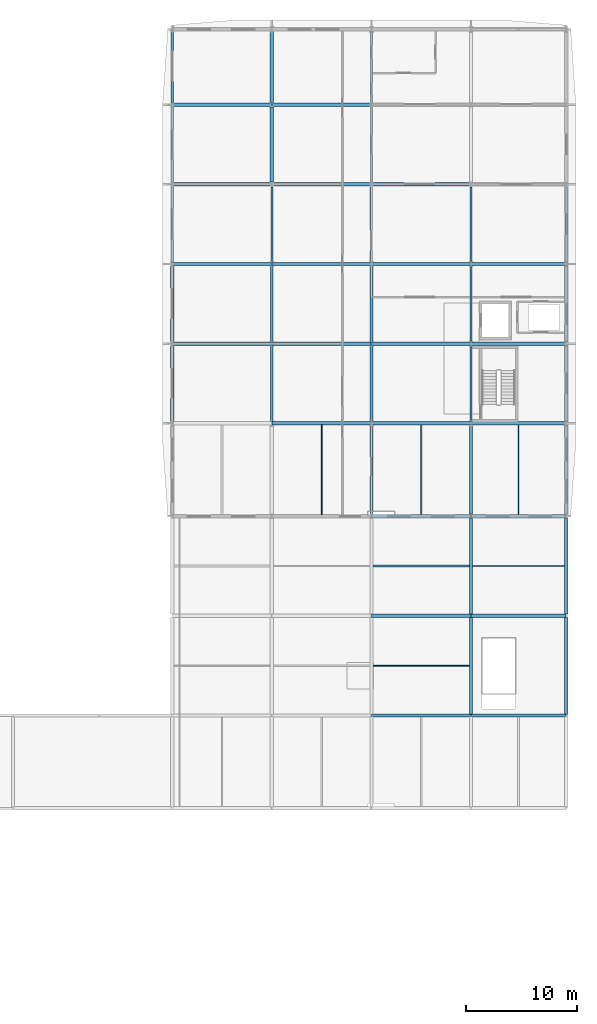
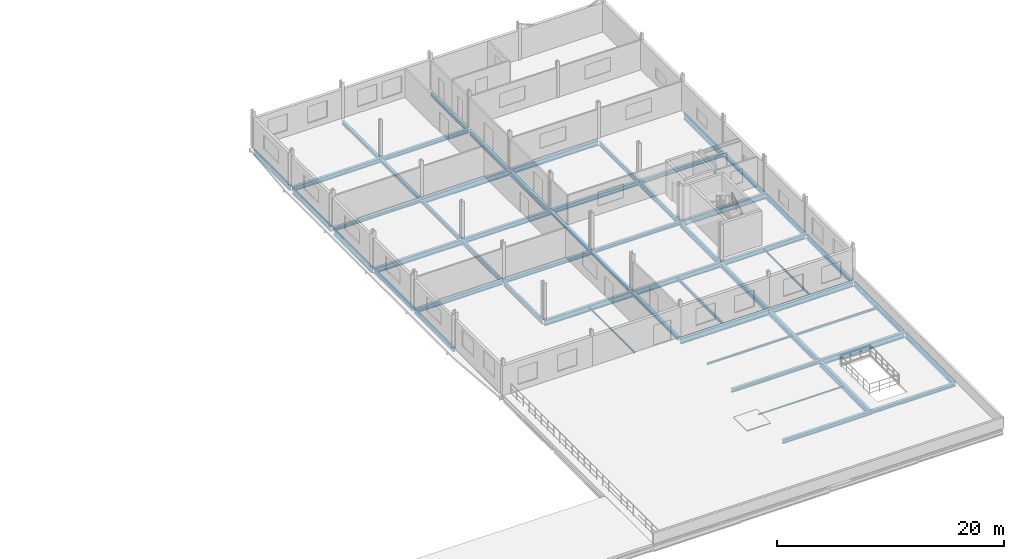
# One storey, part 43 of 78: 56 beams.
"""IFC4 building model written with IfcOpenShell, lengths in metres."""

from ifc_helpers import new_model, si_unit, direction, frame, origin, origin_2d, place, context, subcontext, project, spatial, i_section, extrude, material, material_profile, profile_set, type_object, element, save


model = new_model("IFC4")

# Units and contexts
model_context = context("Model", 3, precision=1e-05, world=origin(), true_north=direction((0.0, 1.0)))
body_context = subcontext(model_context, "Body", "Model", "MODEL_VIEW")
ifc_project = project(units=[si_unit("LENGTHUNIT", "METRE"), si_unit("AREAUNIT", "SQUARE_METRE"), si_unit("VOLUMEUNIT", "CUBIC_METRE"), si_unit("PLANEANGLEUNIT", "RADIAN"), si_unit("MASSUNIT", "GRAM", prefix="KILO")], contexts=[model_context])

# Site, building, storey
site_placement = place(None, origin())
site = spatial("IfcSite", under=ifc_project, at=site_placement, CompositionType="ELEMENT")
building_placement = place(site_placement, origin())
building = spatial("IfcBuilding", under=site, at=building_placement, Name="Vinh Khe Railworks Police Headquarters", CompositionType="ELEMENT")
storey_placement = place(building_placement, frame((0.0, 0.0, 13.199951171875)))
storey = spatial("IfcBuildingStorey", under=building, at=storey_placement, Name="L03", CompositionType="ELEMENT", Elevation=13.199951171875)

# Beams
ifc_material = material(Name="Steel S355JR", Category="steel")
ifc_material_profile_1 = material_profile(ifc_material, i_section(OverallWidth=0.179931640625, OverallDepth=0.1708984375, WebThickness=0.006103515625, FlangeThickness=0.009521484375, FilletRadius=0.014892578125, at=origin_2d()), Name="HEA 180")
ifc_profile_set_1 = profile_set([ifc_material_profile_1], Name="Steel S355JR")
beam_type_1 = type_object("IfcBeamType", Name="Secondary Joist HEA 180", PredefinedType="JOIST", material=ifc_profile_set_1)
beam_1_placement = place(storey_placement, frame((96.14990234375, 117.89990234375, -0.305419921875), z_axis=(1.0, 0.0, 0.0), x_axis=(0.0, 1.0, 0.0)))
element("IfcBeam", 1, at=beam_1_placement, inside=storey, type_object=beam_type_1, Name="Secondary Joist JST-L03-SJ-10-0032", PredefinedType="JOIST", context=body_context, shape_type="SweptSolid", body=[
    extrude(i_section(OverallWidth=0.179931640625, OverallDepth=0.1708984375, WebThickness=0.006103515625, FlangeThickness=0.009521484375, FilletRadius=0.014892578125, at=origin_2d()), origin(), (0.0, 0.0, 1.0), 8.7001953125),
])
ifc_material_profile_2 = material_profile(ifc_material, i_section(OverallWidth=0.08203125, OverallDepth=0.159912109375, WebThickness=0.0048828125, FlangeThickness=0.00732421875, FilletRadius=0.009033203125, at=origin_2d()), Name="IPE 160")
ifc_profile_set_2 = profile_set([ifc_material_profile_2], Name="Steel S355JR")
beam_type_2 = type_object("IfcBeamType", Name="Secondary Joist IPE 160", PredefinedType="JOIST", material=ifc_profile_set_2)
beam_2_placement = place(storey_placement, frame((96.14990234375, 108.89990234375, -0.300048828125), z_axis=(1.0, 0.0, 0.0), x_axis=(0.0, 1.0, 0.0)))
element("IfcBeam", 2, at=beam_2_placement, inside=storey, type_object=beam_type_2, Name="Secondary Joist JST-L03-SJ-08-0031", PredefinedType="JOIST", context=body_context, shape_type="SweptSolid", body=[
    extrude(i_section(OverallWidth=0.08203125, OverallDepth=0.159912109375, WebThickness=0.0048828125, FlangeThickness=0.00732421875, FilletRadius=0.009033203125, at=origin_2d()), origin(), (0.0, 0.0, 1.0), 8.7001953125),
])
ifc_material_profile_3 = material_profile(ifc_material, i_section(OverallWidth=0.091064453125, OverallDepth=0.179931640625, WebThickness=0.00537109375, FlangeThickness=0.008056640625, FilletRadius=0.009033203125, at=origin_2d()), Name="IPE 180")
ifc_profile_set_3 = profile_set([ifc_material_profile_3], Name="Steel S355JR")
beam_type_3 = type_object("IfcBeamType", Name="Secondary Joist IPE 180", PredefinedType="JOIST", material=ifc_profile_set_3)
beam_3_placement = place(storey_placement, frame((91.5, 122.550048828125, -0.31005859375), z_axis=(0.0, 1.0, 0.0), x_axis=(-1.0, 0.0, 0.0)))
element("IfcBeam", 3, at=beam_3_placement, inside=storey, type_object=beam_type_3, Name="Secondary Joist JST-L03-SJ-07-0029", PredefinedType="JOIST", context=body_context, shape_type="SweptSolid", body=[
    extrude(i_section(OverallWidth=0.091064453125, OverallDepth=0.179931640625, WebThickness=0.00537109375, FlangeThickness=0.008056640625, FilletRadius=0.009033203125, at=origin_2d()), origin(), (0.0, 0.0, 1.0), 8.099853515625),
])
ifc_material_profile_4 = material_profile(ifc_material, i_section(OverallWidth=0.10009765625, OverallDepth=0.199951171875, WebThickness=0.005615234375, FlangeThickness=0.008544921875, FilletRadius=0.011962890625, at=origin_2d()), Name="IPE 200")
ifc_profile_set_4 = profile_set([ifc_material_profile_4], Name="Steel S355JR")
beam_type_4 = type_object("IfcBeamType", Name="Secondary Joist IPE 200", PredefinedType="JOIST", material=ifc_profile_set_4)
beam_4_placement = place(storey_placement, frame((109.300048828125, 122.550048828125, -0.320068359375), z_axis=(0.0, 1.0, 0.0), x_axis=(-1.0, 0.0, 0.0)))
element("IfcBeam", 4, at=beam_4_placement, inside=storey, type_object=beam_type_4, Name="Secondary Joist JST-L03-SJ-06-0036", PredefinedType="JOIST", context=body_context, shape_type="SweptSolid", body=[
    extrude(i_section(OverallWidth=0.10009765625, OverallDepth=0.199951171875, WebThickness=0.005615234375, FlangeThickness=0.008544921875, FilletRadius=0.011962890625, at=origin_2d()), origin(), (0.0, 0.0, 1.0), 8.099853515625),
])
ifc_material_profile_5 = material_profile(ifc_material, i_section(OverallWidth=0.1201171875, OverallDepth=0.239990234375, WebThickness=0.006103515625, FlangeThickness=0.009765625, FilletRadius=0.014892578125, at=origin_2d()), Name="IPE 240")
ifc_profile_set_5 = profile_set([ifc_material_profile_5], Name="Steel S355JR")
beam_type_5 = type_object("IfcBeamType", Name="Secondary Joist IPE 240", PredefinedType="JOIST", material=ifc_profile_set_5)
beam_5_placement = place(storey_placement, frame((105.14990234375, 117.89990234375, -0.33984375), z_axis=(1.0, 0.0, 0.0), x_axis=(0.0, 1.0, 0.0)))
element("IfcBeam", 5, at=beam_5_placement, inside=storey, type_object=beam_type_5, Name="Secondary Joist JST-L03-SJ-04-0035", PredefinedType="JOIST", context=body_context, shape_type="SweptSolid", body=[
    extrude(i_section(OverallWidth=0.1201171875, OverallDepth=0.239990234375, WebThickness=0.006103515625, FlangeThickness=0.009765625, FilletRadius=0.014892578125, at=origin_2d()), origin(), (0.0, 0.0, 1.0), 8.300048828125),
])
ifc_material_profile_6 = material_profile(ifc_material, i_section(OverallWidth=0.14990234375, OverallDepth=0.300048828125, WebThickness=0.007080078125, FlangeThickness=0.0107421875, FilletRadius=0.014892578125, at=origin_2d()), Name="IPE 300")
ifc_profile_set_6 = profile_set([ifc_material_profile_6], Name="Steel S355JR")
beam_type_6 = type_object("IfcBeamType", Name="Secondary Joist IPE 300", PredefinedType="JOIST", material=ifc_profile_set_6)
beam_6_placement = place(storey_placement, frame((100.5, 122.550048828125, -0.369873046875), z_axis=(0.0, 1.0, 0.0), x_axis=(-1.0, 0.0, 0.0)))
element("IfcBeam", 6, at=beam_6_placement, inside=storey, type_object=beam_type_6, Name="Secondary Joist JST-L03-SJ-02-0033", PredefinedType="JOIST", context=body_context, shape_type="SweptSolid", body=[
    extrude(i_section(OverallWidth=0.14990234375, OverallDepth=0.300048828125, WebThickness=0.007080078125, FlangeThickness=0.0107421875, FilletRadius=0.014892578125, at=origin_2d()), origin(), (0.0, 0.0, 1.0), 8.099853515625),
])
ifc_material_profile_7 = material_profile(ifc_material, i_section(OverallWidth=0.300048828125, OverallDepth=0.330078125, WebThickness=0.009521484375, FlangeThickness=0.0166015625, FilletRadius=0.027099609375, at=origin_2d()), Name="HEA 340")
ifc_profile_set_7 = profile_set([ifc_material_profile_7], Name="Steel S355JR")
beam_type_7 = type_object("IfcBeamType", Name="Steel Girder HEA 340", PredefinedType="BEAM", material=ifc_profile_set_7)
beam_7_placement = place(storey_placement, frame((78.0, 138.159912109375, -0.385009765625), z_axis=(0.0, 1.0, 0.0), x_axis=(-1.0, 0.0, 0.0)))
element("IfcBeam", 7, at=beam_7_placement, inside=storey, type_object=beam_type_7, Name="Girder BM-L03-NS-SB-16-1232", PredefinedType="BEAM", context=body_context, shape_type="SweptSolid", body=[
    extrude(i_section(OverallWidth=0.300048828125, OverallDepth=0.330078125, WebThickness=0.009521484375, FlangeThickness=0.0166015625, FilletRadius=0.027099609375, at=origin_2d()), origin(), (0.0, 0.0, 1.0), 6.89013671875),
])
beam_8_placement = place(storey_placement, frame((87.0, 159.804931640625, -0.385009765625), z_axis=(0.0, 1.0, 0.0), x_axis=(-1.0, 0.0, 0.0)))
element("IfcBeam", 8, at=beam_8_placement, inside=storey, type_object=beam_type_7, Name="Girder BM-L03-NS-SB-16-1244", PredefinedType="BEAM", context=body_context, shape_type="SweptSolid", body=[
    extrude(i_section(OverallWidth=0.300048828125, OverallDepth=0.330078125, WebThickness=0.009521484375, FlangeThickness=0.0166015625, FilletRadius=0.027099609375, at=origin_2d()), origin(), (0.0, 0.0, 1.0), 6.4150390625),
])
for number, where, z_axis, x_axis, name in (
    (9, (96.0, 138.159912109375, -0.385009765625), (0.0, 1.0, 0.0), (-1.0, 0.0, 0.0), "Girder BM-L03-NS-SB-16-1250"),
    (10, (113.60009765625, 138.159912109375, -0.385009765625), (0.0, 1.0, 0.0), (-1.0, 0.0, 0.0), "Girder BM-L03-NS-SB-16-1268"),
):
    element("IfcBeam", number, at=place(storey_placement, frame(where, z_axis=z_axis, x_axis=x_axis)), inside=storey, type_object=beam_type_7, Name=name, PredefinedType="BEAM", context=body_context, shape_type="SweptSolid", body=[
        extrude(i_section(OverallWidth=0.300048828125, OverallDepth=0.330078125, WebThickness=0.009521484375, FlangeThickness=0.0166015625, FilletRadius=0.027099609375, at=origin_2d()), origin(), (0.0, 0.0, 1.0), 6.89013671875),
    ])
ifc_material_profile_8 = material_profile(ifc_material, i_section(OverallWidth=0.300048828125, OverallDepth=0.35009765625, WebThickness=0.010009765625, FlangeThickness=0.017578125, FilletRadius=0.027099609375, at=origin_2d()), Name="HEA 360")
ifc_profile_set_8 = profile_set([ifc_material_profile_8], Name="Steel S355JR")
beam_type_8 = type_object("IfcBeamType", Name="Steel Girder HEA 360", PredefinedType="BEAM", material=ifc_profile_set_8)
beam_9_placement = place(storey_placement, frame((105.02001953125, 104.39990234375, -0.39501953125), z_axis=(1.0, 0.0, 0.0), x_axis=(0.0, 1.0, 0.0)))
element("IfcBeam", 11, at=beam_9_placement, inside=storey, type_object=beam_type_8, Name="Girder BM-L03-EW-SB-15-1104", PredefinedType="BEAM", context=body_context, shape_type="SweptSolid", body=[
    extrude(i_section(OverallWidth=0.300048828125, OverallDepth=0.35009765625, WebThickness=0.010009765625, FlangeThickness=0.017578125, FilletRadius=0.027099609375, at=origin_2d()), origin(), (0.0, 0.0, 1.0), 8.56005859375),
])
for number, where, z_axis, x_axis, name in (
    (12, (96.02001953125, 113.39990234375, -0.39501953125), (1.0, 0.0, 0.0), (0.0, 1.0, 0.0), "Girder BM-L03-EW-SB-15-1110"),
    (13, (96.02001953125, 138.0, -0.39501953125), (1.0, 0.0, 0.0), (0.0, 1.0, 0.0), "Girder BM-L03-EW-SB-15-1128"),
    (14, (78.02001953125, 152.39990234375, -0.39501953125), (1.0, 0.0, 0.0), (0.0, 1.0, 0.0), "Girder BM-L03-EW-SB-15-1134"),
):
    element("IfcBeam", number, at=place(storey_placement, frame(where, z_axis=z_axis, x_axis=x_axis)), inside=storey, type_object=beam_type_8, Name=name, PredefinedType="BEAM", context=body_context, shape_type="SweptSolid", body=[
        extrude(i_section(OverallWidth=0.300048828125, OverallDepth=0.35009765625, WebThickness=0.010009765625, FlangeThickness=0.017578125, FilletRadius=0.027099609375, at=origin_2d()), origin(), (0.0, 0.0, 1.0), 8.9599609375),
    ])
beam_10_placement = place(storey_placement, frame((78.0, 130.97998046875, -0.39501953125), z_axis=(0.0, 1.0, 0.0), x_axis=(-1.0, 0.0, 0.0)))
element("IfcBeam", 15, at=beam_10_placement, inside=storey, type_object=beam_type_8, Name="Girder BM-L03-NS-SB-15-1231", PredefinedType="BEAM", context=body_context, shape_type="SweptSolid", body=[
    extrude(i_section(OverallWidth=0.300048828125, OverallDepth=0.35009765625, WebThickness=0.010009765625, FlangeThickness=0.017578125, FilletRadius=0.027099609375, at=origin_2d()), origin(), (0.0, 0.0, 1.0), 6.860107421875),
])
beam_11_placement = place(storey_placement, frame((87.0, 152.6298828125, -0.39501953125), z_axis=(0.0, 1.0, 0.0), x_axis=(-1.0, 0.0, 0.0)))
element("IfcBeam", 16, at=beam_11_placement, inside=storey, type_object=beam_type_8, Name="Girder BM-L03-NS-SB-15-1243", PredefinedType="BEAM", context=body_context, shape_type="SweptSolid", body=[
    extrude(i_section(OverallWidth=0.300048828125, OverallDepth=0.35009765625, WebThickness=0.010009765625, FlangeThickness=0.017578125, FilletRadius=0.027099609375, at=origin_2d()), origin(), (0.0, 0.0, 1.0), 6.76513671875),
])
beam_12_placement = place(storey_placement, frame((96.0, 122.60498046875, -0.39501953125), z_axis=(0.0, 1.0, 0.0), x_axis=(-1.0, 0.0, 0.0)))
element("IfcBeam", 17, at=beam_12_placement, inside=storey, type_object=beam_type_8, Name="Girder BM-L03-NS-SB-15-1248", PredefinedType="BEAM", context=body_context, shape_type="SweptSolid", body=[
    extrude(i_section(OverallWidth=0.300048828125, OverallDepth=0.35009765625, WebThickness=0.010009765625, FlangeThickness=0.017578125, FilletRadius=0.027099609375, at=origin_2d()), origin(), (0.0, 0.0, 1.0), 8.01513671875),
])
beam_13_placement = place(storey_placement, frame((96.0, 130.97998046875, -0.39501953125), z_axis=(0.0, 1.0, 0.0), x_axis=(-1.0, 0.0, 0.0)))
element("IfcBeam", 18, at=beam_13_placement, inside=storey, type_object=beam_type_8, Name="Girder BM-L03-NS-SB-15-1249", PredefinedType="BEAM", context=body_context, shape_type="SweptSolid", body=[
    extrude(i_section(OverallWidth=0.300048828125, OverallDepth=0.35009765625, WebThickness=0.010009765625, FlangeThickness=0.017578125, FilletRadius=0.027099609375, at=origin_2d()), origin(), (0.0, 0.0, 1.0), 6.860107421875),
])
beam_14_placement = place(storey_placement, frame((113.60009765625, 122.60498046875, -0.39501953125), z_axis=(0.0, 1.0, 0.0), x_axis=(-1.0, 0.0, 0.0)))
element("IfcBeam", 19, at=beam_14_placement, inside=storey, type_object=beam_type_8, Name="Girder BM-L03-NS-SB-15-1266", PredefinedType="BEAM", context=body_context, shape_type="SweptSolid", body=[
    extrude(i_section(OverallWidth=0.300048828125, OverallDepth=0.35009765625, WebThickness=0.010009765625, FlangeThickness=0.017578125, FilletRadius=0.027099609375, at=origin_2d()), origin(), (0.0, 0.0, 1.0), 8.01513671875),
])
beam_15_placement = place(storey_placement, frame((113.60009765625, 130.97998046875, -0.39501953125), z_axis=(0.0, 1.0, 0.0), x_axis=(-1.0, 0.0, 0.0)))
element("IfcBeam", 20, at=beam_15_placement, inside=storey, type_object=beam_type_8, Name="Girder BM-L03-NS-SB-15-1267", PredefinedType="BEAM", context=body_context, shape_type="SweptSolid", body=[
    extrude(i_section(OverallWidth=0.300048828125, OverallDepth=0.35009765625, WebThickness=0.010009765625, FlangeThickness=0.017578125, FilletRadius=0.027099609375, at=origin_2d()), origin(), (0.0, 0.0, 1.0), 6.860107421875),
])
ifc_material_profile_9 = material_profile(ifc_material, i_section(OverallWidth=0.300048828125, OverallDepth=0.389892578125, WebThickness=0.010986328125, FlangeThickness=0.01904296875, FilletRadius=0.027099609375, at=origin_2d()), Name="HEA 400")
ifc_profile_set_9 = profile_set([ifc_material_profile_9], Name="Steel S355JR")
beam_type_9 = type_object("IfcBeamType", Name="Steel Girder HEA 400", PredefinedType="BEAM", material=ifc_profile_set_9)
for number, where, z_axis, x_axis, name in (
    (21, (96.02001953125, 104.39990234375, -0.4150390625), (1.0, 0.0, 0.0), (0.0, 1.0, 0.0), "Girder BM-L03-EW-SB-14-1103"),
    (22, (87.02001953125, 138.0, -0.4150390625), (1.0, 0.0, 0.0), (0.0, 1.0, 0.0), "Girder BM-L03-EW-SB-14-1127"),
):
    element("IfcBeam", number, at=place(storey_placement, frame(where, z_axis=z_axis, x_axis=x_axis)), inside=storey, type_object=beam_type_9, Name=name, PredefinedType="BEAM", context=body_context, shape_type="SweptSolid", body=[
        extrude(i_section(OverallWidth=0.300048828125, OverallDepth=0.389892578125, WebThickness=0.010986328125, FlangeThickness=0.01904296875, FilletRadius=0.027099609375, at=origin_2d()), origin(), (0.0, 0.0, 1.0), 8.9599609375),
    ])
beam_16_placement = place(storey_placement, frame((105.02001953125, 145.199951171875, -0.4150390625), z_axis=(1.0, 0.0, 0.0), x_axis=(0.0, 1.0, 0.0)))
element("IfcBeam", 23, at=beam_16_placement, inside=storey, type_object=beam_type_9, Name="Girder BM-L03-EW-SB-14-1133", PredefinedType="BEAM", context=body_context, shape_type="SweptSolid", body=[
    extrude(i_section(OverallWidth=0.300048828125, OverallDepth=0.389892578125, WebThickness=0.010986328125, FlangeThickness=0.01904296875, FilletRadius=0.027099609375, at=origin_2d()), origin(), (0.0, 0.0, 1.0), 8.56005859375),
])
beam_17_placement = place(storey_placement, frame((87.02001953125, 159.60009765625, -0.4150390625), z_axis=(1.0, 0.0, 0.0), x_axis=(0.0, 1.0, 0.0)))
element("IfcBeam", 24, at=beam_17_placement, inside=storey, type_object=beam_type_9, Name="Girder BM-L03-EW-SB-14-1139", PredefinedType="BEAM", context=body_context, shape_type="SweptSolid", body=[
    extrude(i_section(OverallWidth=0.300048828125, OverallDepth=0.389892578125, WebThickness=0.010986328125, FlangeThickness=0.01904296875, FilletRadius=0.027099609375, at=origin_2d()), origin(), (0.0, 0.0, 1.0), 8.9599609375),
])
beam_18_placement = place(storey_placement, frame((113.60009765625, 113.554931640625, -0.4150390625), z_axis=(0.0, 1.0, 0.0), x_axis=(-1.0, 0.0, 0.0)))
element("IfcBeam", 25, at=beam_18_placement, inside=storey, type_object=beam_type_9, Name="Girder BM-L03-NS-SB-14-1265", PredefinedType="BEAM", context=body_context, shape_type="SweptSolid", body=[
    extrude(i_section(OverallWidth=0.300048828125, OverallDepth=0.389892578125, WebThickness=0.010986328125, FlangeThickness=0.01904296875, FilletRadius=0.027099609375, at=origin_2d()), origin(), (0.0, 0.0, 1.0), 8.64013671875),
])
ifc_material_profile_10 = material_profile(ifc_material, i_section(OverallWidth=0.300048828125, OverallDepth=0.43994140625, WebThickness=0.011474609375, FlangeThickness=0.02099609375, FilletRadius=0.027099609375, at=origin_2d()), Name="HEA 450")
ifc_profile_set_10 = profile_set([ifc_material_profile_10], Name="Steel S355JR")
beam_type_10 = type_object("IfcBeamType", Name="Steel Girder HEA 450", PredefinedType="BEAM", material=ifc_profile_set_10)
for number, where, z_axis, x_axis, name in (
    (26, (78.02001953125, 138.0, -0.43994140625), (1.0, 0.0, 0.0), (0.0, 1.0, 0.0), "Girder BM-L03-EW-SB-13-1126"),
    (27, (96.02001953125, 145.199951171875, -0.43994140625), (1.0, 0.0, 0.0), (0.0, 1.0, 0.0), "Girder BM-L03-EW-SB-13-1132"),
    (28, (78.02001953125, 159.60009765625, -0.43994140625), (1.0, 0.0, 0.0), (0.0, 1.0, 0.0), "Girder BM-L03-EW-SB-13-1138"),
):
    element("IfcBeam", number, at=place(storey_placement, frame(where, z_axis=z_axis, x_axis=x_axis)), inside=storey, type_object=beam_type_10, Name=name, PredefinedType="BEAM", context=body_context, shape_type="SweptSolid", body=[
        extrude(i_section(OverallWidth=0.300048828125, OverallDepth=0.43994140625, WebThickness=0.011474609375, FlangeThickness=0.02099609375, FilletRadius=0.027099609375, at=origin_2d()), origin(), (0.0, 0.0, 1.0), 8.9599609375),
    ])
beam_19_placement = place(storey_placement, frame((113.60009765625, 104.4951171875, -0.43994140625), z_axis=(0.0, 1.0, 0.0), x_axis=(-1.0, 0.0, 0.0)))
element("IfcBeam", 29, at=beam_19_placement, inside=storey, type_object=beam_type_10, Name="Girder BM-L03-NS-SB-13-1264", PredefinedType="BEAM", context=body_context, shape_type="SweptSolid", body=[
    extrude(i_section(OverallWidth=0.300048828125, OverallDepth=0.43994140625, WebThickness=0.011474609375, FlangeThickness=0.02099609375, FilletRadius=0.027099609375, at=origin_2d()), origin(), (0.0, 0.0, 1.0), 8.75),
])
ifc_material_profile_11 = material_profile(ifc_material, i_section(OverallWidth=0.300048828125, OverallDepth=0.489990234375, WebThickness=0.011962890625, FlangeThickness=0.02294921875, FilletRadius=0.027099609375, at=origin_2d()), Name="HEA 500")
ifc_profile_set_11 = profile_set([ifc_material_profile_11], Name="Steel S355JR")
beam_type_11 = type_object("IfcBeamType", Name="Steel Girder HEA 500", PredefinedType="BEAM", material=ifc_profile_set_11)
beam_20_placement = place(storey_placement, frame((105.02001953125, 130.800048828125, -0.46484375), z_axis=(1.0, 0.0, 0.0), x_axis=(0.0, 1.0, 0.0)))
element("IfcBeam", 30, at=beam_20_placement, inside=storey, type_object=beam_type_11, Name="Girder BM-L03-EW-SB-12-1125", PredefinedType="BEAM", context=body_context, shape_type="SweptSolid", body=[
    extrude(i_section(OverallWidth=0.300048828125, OverallDepth=0.489990234375, WebThickness=0.011962890625, FlangeThickness=0.02294921875, FilletRadius=0.027099609375, at=origin_2d()), origin(), (0.0, 0.0, 1.0), 8.56005859375),
])
beam_21_placement = place(storey_placement, frame((87.02001953125, 145.199951171875, -0.46484375), z_axis=(1.0, 0.0, 0.0), x_axis=(0.0, 1.0, 0.0)))
element("IfcBeam", 31, at=beam_21_placement, inside=storey, type_object=beam_type_11, Name="Girder BM-L03-EW-SB-12-1131", PredefinedType="BEAM", context=body_context, shape_type="SweptSolid", body=[
    extrude(i_section(OverallWidth=0.300048828125, OverallDepth=0.489990234375, WebThickness=0.011962890625, FlangeThickness=0.02294921875, FilletRadius=0.027099609375, at=origin_2d()), origin(), (0.0, 0.0, 1.0), 8.9599609375),
])
beam_22_placement = place(storey_placement, frame((105.0, 122.60498046875, -0.46484375), z_axis=(0.0, 1.0, 0.0), x_axis=(-1.0, 0.0, 0.0)))
element("IfcBeam", 32, at=beam_22_placement, inside=storey, type_object=beam_type_11, Name="Girder BM-L03-NS-SB-12-1257", PredefinedType="BEAM", context=body_context, shape_type="SweptSolid", body=[
    extrude(i_section(OverallWidth=0.300048828125, OverallDepth=0.489990234375, WebThickness=0.011962890625, FlangeThickness=0.02294921875, FilletRadius=0.027099609375, at=origin_2d()), origin(), (0.0, 0.0, 1.0), 8.01513671875),
])
ifc_material_profile_12 = material_profile(ifc_material, i_section(OverallWidth=0.300048828125, OverallDepth=0.5400390625, WebThickness=0.012451171875, FlangeThickness=0.02392578125, FilletRadius=0.027099609375, at=origin_2d()), Name="HEA 550")
ifc_profile_set_12 = profile_set([ifc_material_profile_12], Name="Steel S355JR")
beam_type_12 = type_object("IfcBeamType", Name="Steel Girder HEA 550", PredefinedType="BEAM", material=ifc_profile_set_12)
beam_23_placement = place(storey_placement, frame((105.02001953125, 122.39990234375, -0.489990234375), z_axis=(1.0, 0.0, 0.0), x_axis=(0.0, 1.0, 0.0)))
element("IfcBeam", 33, at=beam_23_placement, inside=storey, type_object=beam_type_12, Name="Girder BM-L03-EW-SB-11-1118", PredefinedType="BEAM", context=body_context, shape_type="SweptSolid", body=[
    extrude(i_section(OverallWidth=0.300048828125, OverallDepth=0.5400390625, WebThickness=0.012451171875, FlangeThickness=0.02392578125, FilletRadius=0.027099609375, at=origin_2d()), origin(), (0.0, 0.0, 1.0), 8.56005859375),
])
for number, where, z_axis, x_axis, name in (
    (34, (96.02001953125, 130.800048828125, -0.489990234375), (1.0, 0.0, 0.0), (0.0, 1.0, 0.0), "Girder BM-L03-EW-SB-11-1124"),
    (35, (78.02001953125, 145.199951171875, -0.489990234375), (1.0, 0.0, 0.0), (0.0, 1.0, 0.0), "Girder BM-L03-EW-SB-11-1130"),
    (36, (96.02001953125, 152.39990234375, -0.489990234375), (1.0, 0.0, 0.0), (0.0, 1.0, 0.0), "Girder BM-L03-EW-SB-11-1136"),
):
    element("IfcBeam", number, at=place(storey_placement, frame(where, z_axis=z_axis, x_axis=x_axis)), inside=storey, type_object=beam_type_12, Name=name, PredefinedType="BEAM", context=body_context, shape_type="SweptSolid", body=[
        extrude(i_section(OverallWidth=0.300048828125, OverallDepth=0.5400390625, WebThickness=0.012451171875, FlangeThickness=0.02392578125, FilletRadius=0.027099609375, at=origin_2d()), origin(), (0.0, 0.0, 1.0), 8.9599609375),
    ])
beam_24_placement = place(storey_placement, frame((105.0, 113.554931640625, -0.489990234375), z_axis=(0.0, 1.0, 0.0), x_axis=(-1.0, 0.0, 0.0)))
element("IfcBeam", 37, at=beam_24_placement, inside=storey, type_object=beam_type_12, Name="Girder BM-L03-NS-SB-11-1256", PredefinedType="BEAM", context=body_context, shape_type="SweptSolid", body=[
    extrude(i_section(OverallWidth=0.300048828125, OverallDepth=0.5400390625, WebThickness=0.012451171875, FlangeThickness=0.02392578125, FilletRadius=0.027099609375, at=origin_2d()), origin(), (0.0, 0.0, 1.0), 8.64013671875),
])
ifc_material_profile_13 = material_profile(ifc_material, i_section(OverallWidth=0.300048828125, OverallDepth=0.590087890625, WebThickness=0.012939453125, FlangeThickness=0.02490234375, FilletRadius=0.027099609375, at=origin_2d()), Name="HEA 600")
ifc_profile_set_13 = profile_set([ifc_material_profile_13], Name="Steel S355JR")
beam_type_13 = type_object("IfcBeamType", Name="Steel Girder HEA 600", PredefinedType="BEAM", material=ifc_profile_set_13)
beam_25_placement = place(storey_placement, frame((105.02001953125, 113.39990234375, -0.514892578125), z_axis=(1.0, 0.0, 0.0), x_axis=(0.0, 1.0, 0.0)))
element("IfcBeam", 38, at=beam_25_placement, inside=storey, type_object=beam_type_13, Name="Girder BM-L03-EW-SB-10-1111", PredefinedType="BEAM", context=body_context, shape_type="SweptSolid", body=[
    extrude(i_section(OverallWidth=0.300048828125, OverallDepth=0.590087890625, WebThickness=0.012939453125, FlangeThickness=0.02490234375, FilletRadius=0.027099609375, at=origin_2d()), origin(), (0.0, 0.0, 1.0), 8.56005859375),
])
for number, where, z_axis, x_axis, name in (
    (39, (96.02001953125, 122.39990234375, -0.514892578125), (1.0, 0.0, 0.0), (0.0, 1.0, 0.0), "Girder BM-L03-EW-SB-10-1117"),
    (40, (87.02001953125, 130.800048828125, -0.514892578125), (1.0, 0.0, 0.0), (0.0, 1.0, 0.0), "Girder BM-L03-EW-SB-10-1123"),
):
    element("IfcBeam", number, at=place(storey_placement, frame(where, z_axis=z_axis, x_axis=x_axis)), inside=storey, type_object=beam_type_13, Name=name, PredefinedType="BEAM", context=body_context, shape_type="SweptSolid", body=[
        extrude(i_section(OverallWidth=0.300048828125, OverallDepth=0.590087890625, WebThickness=0.012939453125, FlangeThickness=0.02490234375, FilletRadius=0.027099609375, at=origin_2d()), origin(), (0.0, 0.0, 1.0), 8.9599609375),
    ])
beam_26_placement = place(storey_placement, frame((105.02001953125, 138.0, -0.514892578125), z_axis=(1.0, 0.0, 0.0), x_axis=(0.0, 1.0, 0.0)))
element("IfcBeam", 41, at=beam_26_placement, inside=storey, type_object=beam_type_13, Name="Girder BM-L03-EW-SB-10-1129", PredefinedType="BEAM", context=body_context, shape_type="SweptSolid", body=[
    extrude(i_section(OverallWidth=0.300048828125, OverallDepth=0.590087890625, WebThickness=0.012939453125, FlangeThickness=0.02490234375, FilletRadius=0.027099609375, at=origin_2d()), origin(), (0.0, 0.0, 1.0), 8.56005859375),
])
beam_27_placement = place(storey_placement, frame((87.02001953125, 152.39990234375, -0.514892578125), z_axis=(1.0, 0.0, 0.0), x_axis=(0.0, 1.0, 0.0)))
element("IfcBeam", 42, at=beam_27_placement, inside=storey, type_object=beam_type_13, Name="Girder BM-L03-EW-SB-10-1135", PredefinedType="BEAM", context=body_context, shape_type="SweptSolid", body=[
    extrude(i_section(OverallWidth=0.300048828125, OverallDepth=0.590087890625, WebThickness=0.012939453125, FlangeThickness=0.02490234375, FilletRadius=0.027099609375, at=origin_2d()), origin(), (0.0, 0.0, 1.0), 8.9599609375),
])
beam_28_placement = place(storey_placement, frame((105.0, 104.4951171875, -0.514892578125), z_axis=(0.0, 1.0, 0.0), x_axis=(-1.0, 0.0, 0.0)))
element("IfcBeam", 43, at=beam_28_placement, inside=storey, type_object=beam_type_13, Name="Girder BM-L03-NS-SB-10-1255", PredefinedType="BEAM", context=body_context, shape_type="SweptSolid", body=[
    extrude(i_section(OverallWidth=0.300048828125, OverallDepth=0.590087890625, WebThickness=0.012939453125, FlangeThickness=0.02490234375, FilletRadius=0.027099609375, at=origin_2d()), origin(), (0.0, 0.0, 1.0), 8.75),
])
ifc_material_profile_14 = material_profile(ifc_material, i_section(OverallWidth=0.18994140625, OverallDepth=0.449951171875, WebThickness=0.009521484375, FlangeThickness=0.0146484375, FilletRadius=0.02099609375, at=origin_2d()), Name="IPE 450")
ifc_profile_set_14 = profile_set([ifc_material_profile_14], Name="Steel S355JR")
beam_type_14 = type_object("IfcBeamType", Name="Steel Girder IPE 450", PredefinedType="BEAM", material=ifc_profile_set_14)
for number, where, z_axis, x_axis, name in (
    (44, (87.0, 145.35009765625, -0.445068359375), (0.0, 1.0, 0.0), (-1.0, 0.0, 0.0), "Girder BM-L03-NS-SB-20-1242"),
    (45, (105.0, 145.35009765625, -0.445068359375), (0.0, 1.0, 0.0), (-1.0, 0.0, 0.0), "Girder BM-L03-NS-SB-20-1260"),
):
    element("IfcBeam", number, at=place(storey_placement, frame(where, z_axis=z_axis, x_axis=x_axis)), inside=storey, type_object=beam_type_14, Name=name, PredefinedType="BEAM", context=body_context, shape_type="SweptSolid", body=[
        extrude(i_section(OverallWidth=0.18994140625, OverallDepth=0.449951171875, WebThickness=0.009521484375, FlangeThickness=0.0146484375, FilletRadius=0.02099609375, at=origin_2d()), origin(), (0.0, 0.0, 1.0), 6.81982421875),
    ])
ifc_material_profile_15 = material_profile(ifc_material, i_section(OverallWidth=0.199951171875, OverallDepth=0.5, WebThickness=0.01025390625, FlangeThickness=0.01611328125, FilletRadius=0.02099609375, at=origin_2d()), Name="IPE 500")
ifc_profile_set_15 = profile_set([ifc_material_profile_15], Name="Steel S355JR")
beam_type_15 = type_object("IfcBeamType", Name="Steel Girder IPE 500", PredefinedType="BEAM", material=ifc_profile_set_15)
beam_29_placement = place(storey_placement, frame((78.0, 159.804931640625, -0.469970703125), z_axis=(0.0, 1.0, 0.0), x_axis=(-1.0, 0.0, 0.0)))
element("IfcBeam", 46, at=beam_29_placement, inside=storey, type_object=beam_type_15, Name="Girder BM-L03-NS-SB-19-1235", PredefinedType="BEAM", context=body_context, shape_type="SweptSolid", body=[
    extrude(i_section(OverallWidth=0.199951171875, OverallDepth=0.5, WebThickness=0.01025390625, FlangeThickness=0.01611328125, FilletRadius=0.02099609375, at=origin_2d()), origin(), (0.0, 0.0, 1.0), 6.4150390625),
])
beam_30_placement = place(storey_placement, frame((87.0, 138.159912109375, -0.469970703125), z_axis=(0.0, 1.0, 0.0), x_axis=(-1.0, 0.0, 0.0)))
element("IfcBeam", 47, at=beam_30_placement, inside=storey, type_object=beam_type_15, Name="Girder BM-L03-NS-SB-19-1241", PredefinedType="BEAM", context=body_context, shape_type="SweptSolid", body=[
    extrude(i_section(OverallWidth=0.199951171875, OverallDepth=0.5, WebThickness=0.01025390625, FlangeThickness=0.01611328125, FilletRadius=0.02099609375, at=origin_2d()), origin(), (0.0, 0.0, 1.0), 6.89013671875),
])
beam_31_placement = place(storey_placement, frame((96.0, 159.804931640625, -0.469970703125), z_axis=(0.0, 1.0, 0.0), x_axis=(-1.0, 0.0, 0.0)))
element("IfcBeam", 48, at=beam_31_placement, inside=storey, type_object=beam_type_15, Name="Girder BM-L03-NS-SB-19-1253", PredefinedType="BEAM", context=body_context, shape_type="SweptSolid", body=[
    extrude(i_section(OverallWidth=0.199951171875, OverallDepth=0.5, WebThickness=0.01025390625, FlangeThickness=0.01611328125, FilletRadius=0.02099609375, at=origin_2d()), origin(), (0.0, 0.0, 1.0), 6.4150390625),
])
beam_32_placement = place(storey_placement, frame((105.0, 138.159912109375, -0.469970703125), z_axis=(0.0, 1.0, 0.0), x_axis=(-1.0, 0.0, 0.0)))
element("IfcBeam", 49, at=beam_32_placement, inside=storey, type_object=beam_type_15, Name="Girder BM-L03-NS-SB-19-1259", PredefinedType="BEAM", context=body_context, shape_type="SweptSolid", body=[
    extrude(i_section(OverallWidth=0.199951171875, OverallDepth=0.5, WebThickness=0.01025390625, FlangeThickness=0.01611328125, FilletRadius=0.02099609375, at=origin_2d()), origin(), (0.0, 0.0, 1.0), 6.89013671875),
])
ifc_material_profile_16 = material_profile(ifc_material, i_section(OverallWidth=0.2099609375, OverallDepth=0.550048828125, WebThickness=0.010986328125, FlangeThickness=0.01708984375, FilletRadius=0.02392578125, at=origin_2d()), Name="IPE 550")
ifc_profile_set_16 = profile_set([ifc_material_profile_16], Name="Steel S355JR")
beam_type_16 = type_object("IfcBeamType", Name="Steel Girder IPE 550", PredefinedType="BEAM", material=ifc_profile_set_16)
beam_33_placement = place(storey_placement, frame((78.0, 152.6298828125, -0.494873046875), z_axis=(0.0, 1.0, 0.0), x_axis=(-1.0, 0.0, 0.0)))
element("IfcBeam", 50, at=beam_33_placement, inside=storey, type_object=beam_type_16, Name="Girder BM-L03-NS-SB-18-1234", PredefinedType="BEAM", context=body_context, shape_type="SweptSolid", body=[
    extrude(i_section(OverallWidth=0.2099609375, OverallDepth=0.550048828125, WebThickness=0.010986328125, FlangeThickness=0.01708984375, FilletRadius=0.02392578125, at=origin_2d()), origin(), (0.0, 0.0, 1.0), 6.76513671875),
])
beam_34_placement = place(storey_placement, frame((87.0, 130.97998046875, -0.494873046875), z_axis=(0.0, 1.0, 0.0), x_axis=(-1.0, 0.0, 0.0)))
element("IfcBeam", 51, at=beam_34_placement, inside=storey, type_object=beam_type_16, Name="Girder BM-L03-NS-SB-18-1240", PredefinedType="BEAM", context=body_context, shape_type="SweptSolid", body=[
    extrude(i_section(OverallWidth=0.2099609375, OverallDepth=0.550048828125, WebThickness=0.010986328125, FlangeThickness=0.01708984375, FilletRadius=0.02392578125, at=origin_2d()), origin(), (0.0, 0.0, 1.0), 6.860107421875),
])
beam_35_placement = place(storey_placement, frame((96.0, 152.6298828125, -0.494873046875), z_axis=(0.0, 1.0, 0.0), x_axis=(-1.0, 0.0, 0.0)))
element("IfcBeam", 52, at=beam_35_placement, inside=storey, type_object=beam_type_16, Name="Girder BM-L03-NS-SB-18-1252", PredefinedType="BEAM", context=body_context, shape_type="SweptSolid", body=[
    extrude(i_section(OverallWidth=0.2099609375, OverallDepth=0.550048828125, WebThickness=0.010986328125, FlangeThickness=0.01708984375, FilletRadius=0.02392578125, at=origin_2d()), origin(), (0.0, 0.0, 1.0), 6.76513671875),
])
beam_36_placement = place(storey_placement, frame((105.0, 130.97998046875, -0.494873046875), z_axis=(0.0, 1.0, 0.0), x_axis=(-1.0, 0.0, 0.0)))
element("IfcBeam", 53, at=beam_36_placement, inside=storey, type_object=beam_type_16, Name="Girder BM-L03-NS-SB-18-1258", PredefinedType="BEAM", context=body_context, shape_type="SweptSolid", body=[
    extrude(i_section(OverallWidth=0.2099609375, OverallDepth=0.550048828125, WebThickness=0.010986328125, FlangeThickness=0.01708984375, FilletRadius=0.02392578125, at=origin_2d()), origin(), (0.0, 0.0, 1.0), 6.860107421875),
])
ifc_material_profile_17 = material_profile(ifc_material, i_section(OverallWidth=0.219970703125, OverallDepth=0.60009765625, WebThickness=0.011962890625, FlangeThickness=0.01904296875, FilletRadius=0.02392578125, at=origin_2d()), Name="IPE 600")
ifc_profile_set_17 = profile_set([ifc_material_profile_17], Name="Steel S355JR")
beam_type_17 = type_object("IfcBeamType", Name="Steel Girder IPE 600", PredefinedType="BEAM", material=ifc_profile_set_17)
for number, where, z_axis, x_axis, name in (
    (54, (78.0, 145.35009765625, -0.52001953125), (0.0, 1.0, 0.0), (-1.0, 0.0, 0.0), "Girder BM-L03-NS-SB-17-1233"),
    (55, (96.0, 145.35009765625, -0.52001953125), (0.0, 1.0, 0.0), (-1.0, 0.0, 0.0), "Girder BM-L03-NS-SB-17-1251"),
    (56, (113.60009765625, 145.35009765625, -0.52001953125), (0.0, 1.0, 0.0), (-1.0, 0.0, 0.0), "Girder BM-L03-NS-SB-17-1269"),
):
    element("IfcBeam", number, at=place(storey_placement, frame(where, z_axis=z_axis, x_axis=x_axis)), inside=storey, type_object=beam_type_17, Name=name, PredefinedType="BEAM", context=body_context, shape_type="SweptSolid", body=[
        extrude(i_section(OverallWidth=0.219970703125, OverallDepth=0.60009765625, WebThickness=0.011962890625, FlangeThickness=0.01904296875, FilletRadius=0.02392578125, at=origin_2d()), origin(), (0.0, 0.0, 1.0), 6.81982421875),
    ])

save(model, "model.ifc")
